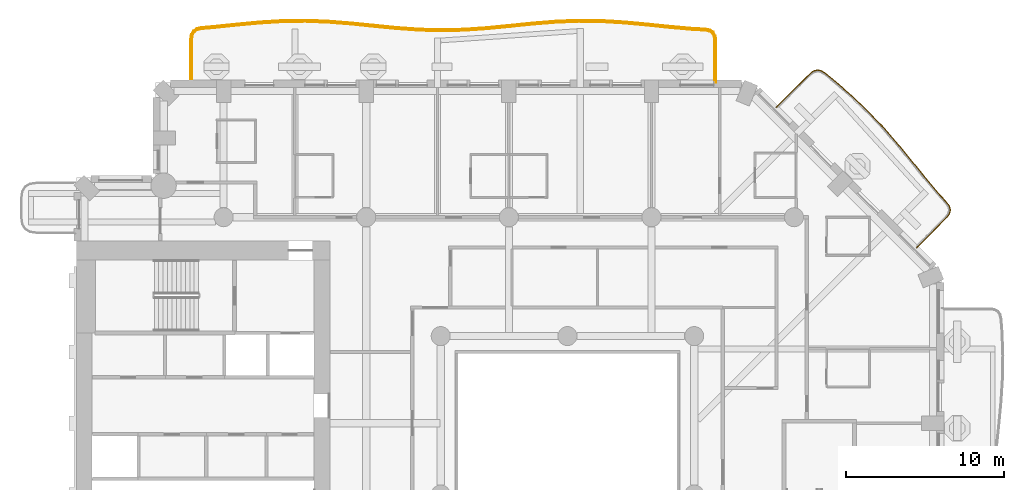
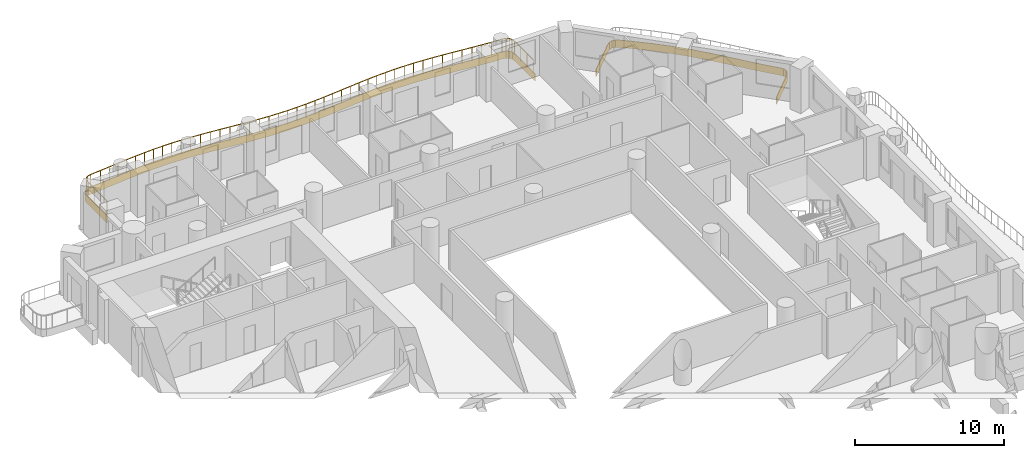
# One storey, part 18 of 20: 2 coverings, 1 railing.
"""IFC4 building model written with IfcOpenShell, lengths in metres."""

from ifc_helpers import new_model, si_unit, direction, frame, origin, origin_2d, place, context, subcontext, project, spatial, polyline, rectangle, outline, extrude, material, layer, layer_set, type_object, element, save


model = new_model("IFC4")

# Units and contexts
model_context = context("Model", 3, precision=1e-05, world=origin(), true_north=direction((0.0, 1.0)))
body_context = subcontext(model_context, "Body", "Model", "MODEL_VIEW")
ifc_project = project(units=[si_unit("LENGTHUNIT", "METRE"), si_unit("AREAUNIT", "SQUARE_METRE"), si_unit("VOLUMEUNIT", "CUBIC_METRE"), si_unit("PLANEANGLEUNIT", "RADIAN"), si_unit("MASSUNIT", "GRAM", prefix="KILO")], contexts=[model_context])

# Site, building, storey
site_placement = place(None, origin())
site = spatial("IfcSite", under=ifc_project, at=site_placement, CompositionType="ELEMENT")
building_placement = place(site_placement, origin())
building = spatial("IfcBuilding", under=site, at=building_placement, Name="Cypress Arch Tower", CompositionType="ELEMENT")
storey_placement = place(building_placement, frame((0.0, 0.0, 87.89990234375)))
storey = spatial("IfcBuildingStorey", under=building, at=storey_placement, Name="L16", CompositionType="ELEMENT", Elevation=87.89990234375)

# Coverings
ifc_material_1 = material(Name="White powder-coated aluminium fascia", Category="aluminium")
ifc_layer = layer(ifc_material_1, 0.050048828125)
ifc_layer_set = layer_set([ifc_layer], Name="Balcony fascia BF50")
covering_type = type_object("IfcCoveringType", Name="Balcony fascia BF50", PredefinedType="CLADDING", material=ifc_layer_set)
covering_1_placement = place(storey_placement, frame((0.0, 0.0, -0.599853515625)))
element("IfcCovering", 1, at=covering_1_placement, inside=storey, type_object=covering_type, Name="Balcony fascia L16-A07", PredefinedType="CLADDING", context=body_context, shape_type="SweptSolid", body=[
    extrude(outline(polyline([(16.28125, 26.570068359375), (16.515869140625, 26.746826171875), (16.764892578125, 26.816162109375), (17.019775390625, 26.771484375), (17.270263671875, 26.618408203125), (17.864990234375, 26.12939453125), (18.915283203125, 25.217529296875), (19.92333984375, 24.2626953125), (20.882568359375, 23.25927734375), (21.7978515625, 22.21240234375), (22.68408203125, 21.1376953125), (23.5625, 20.056884765625), (24.45654296875, 18.993408203125), (24.97021484375, 18.425537109375), (25.13330078125, 18.184326171875), (25.18603515625, 17.935791015625), (25.12109375, 17.68994140625), (24.946044921875, 17.457275390625), (23.045166015625, 15.556396484375), (23.009765625, 15.591796875), (24.908203125, 17.490234375), (25.0751953125, 17.71240234375), (25.134521484375, 17.93701171875), (25.08642578125, 18.16455078125), (24.930908203125, 18.39453125), (24.4189453125, 18.96044921875), (23.52392578125, 20.025146484375), (22.645263671875, 21.10595703125), (21.759765625, 22.179931640625), (20.845703125, 23.225341796875), (19.887939453125, 24.227294921875), (18.881591796875, 25.1806640625), (17.832763671875, 26.09130859375), (17.2412109375, 26.577392578125), (17.001708984375, 26.723876953125), (16.767578125, 26.76513671875), (16.538330078125, 26.701171875), (16.314208984375, 26.5322265625), (14.191650390625, 24.40966796875), (14.15625, 24.445068359375), (16.28125, 26.570068359375)])), origin(), (0.0, 0.0, 1.0), 0.599853515625),
])
covering_2_placement = place(storey_placement, frame((0.0, 0.0, -0.599853515625)))
element("IfcCovering", 2, at=covering_2_placement, inside=storey, type_object=covering_type, Name="Balcony fascia L16-A08", PredefinedType="CLADDING", context=body_context, shape_type="SweptSolid", body=[
    extrude(outline(polyline([(-22.800048828125, 28.734130859375), (-22.7578125, 29.034912109375), (-22.6259765625, 29.266845703125), (-22.40625, 29.41845703125), (-22.110107421875, 29.486572265625), (-21.315673828125, 29.555908203125), (-19.876708984375, 29.704833984375), (-18.4365234375, 29.840087890625), (-16.995361328125, 29.928466796875), (-15.5537109375, 29.94775390625), (-14.1123046875, 29.8935546875), (-12.671630859375, 29.779052734375), (-11.23193359375, 29.632568359375), (-9.793701171875, 29.49072265625), (-8.356201171875, 29.387939453125), (-6.91943359375, 29.35009765625), (-5.48291015625, 29.385986328125), (-4.04541015625, 29.4873046875), (-2.607177734375, 29.628662109375), (-1.16748046875, 29.775390625), (0.273193359375, 29.89111328125), (1.714599609375, 29.947265625), (3.15625, 29.929931640625), (4.597412109375, 29.84326171875), (6.03759765625, 29.708740234375), (7.4765625, 29.559814453125), (8.914306640625, 29.433349609375), (9.70849609375, 29.392822265625), (10.0048828125, 29.33544921875), (10.225341796875, 29.191650390625), (10.357666015625, 28.964111328125), (10.39990234375, 28.665283203125), (10.39990234375, 26.0009765625), (10.35009765625, 26.0009765625), (10.35009765625, 28.661865234375), (10.3095703125, 28.947509765625), (10.18798828125, 29.15625), (9.98583984375, 29.288330078125), (9.702392578125, 29.34326171875), (8.910888671875, 29.38330078125), (7.4716796875, 29.510009765625), (6.03271484375, 29.658935546875), (4.593505859375, 29.79345703125), (3.154296875, 29.8798828125), (1.71533203125, 29.897216796875), (0.276123046875, 29.84130859375), (-1.1630859375, 29.7255859375), (-2.602294921875, 29.578857421875), (-4.041259765625, 29.437255859375), (-5.48046875, 29.336181640625), (-6.919677734375, 29.300048828125), (-8.358642578125, 29.338134765625), (-9.7978515625, 29.44091796875), (-11.237060546875, 29.5830078125), (-12.676025390625, 29.729248046875), (-14.115234375, 29.84375), (-15.554443359375, 29.897705078125), (-16.993408203125, 29.87841796875), (-18.4326171875, 29.790283203125), (-19.871826171875, 29.655029296875), (-21.310791015625, 29.506103515625), (-22.102294921875, 29.43701171875), (-22.3857421875, 29.371826171875), (-22.588134765625, 29.232177734375), (-22.70947265625, 29.0185546875), (-22.75, 28.73046875), (-22.75, 26.0009765625), (-22.800048828125, 26.0009765625), (-22.800048828125, 28.734130859375)])), origin(), (0.0, 0.0, 1.0), 0.599853515625),
])

# Railing
ifc_material_2 = material(Name="Powder-coated steel posts and rods, 100 mm clear between rods", Category="steel")
railing_type = type_object("IfcRailingType", Name="Balcony guard GR1100", PredefinedType="GUARDRAIL", material=ifc_material_2)
railing_placement = place(storey_placement, frame((-22.699951171875, 26.14990234375, 0.0)))
element("IfcRailing", 3, at=railing_placement, inside=storey, type_object=railing_type, Name="Balcony guard L16-A08", PredefinedType="GUARDRAIL", context=body_context, shape_type="SweptSolid", body=[
    extrude(rectangle(XDim=0.050048828125, YDim=0.050048828125, at=origin_2d()), frame((0.0, 0.0, 1.0751953125), z_axis=(0.0, 1.0, 0.0), x_axis=(-1.0, 0.0, 0.0)), (0.0, 0.0, 1.0), 2.5771484375),
    extrude(rectangle(XDim=0.050048828125, YDim=0.050048828125, at=origin_2d()), frame((0.0, 2.5771484375, 1.0751953125), z_axis=(0.138958365374, 0.990298224119, 0.0), x_axis=(-0.990298224119, 0.138958365374, 0.0)), (0.0, 0.0, 1.0), 0.277587890625),
    extrude(rectangle(XDim=0.050048828125, YDim=0.050048828125, at=origin_2d()), frame((0.03857421875, 2.85205078125, 1.0751953125), z_axis=(0.493916153459, 0.86950953609, 0.0), x_axis=(-0.86950953609, 0.493916153459, 0.0)), (0.0, 0.0, 1.0), 0.224853515625),
    extrude(rectangle(XDim=0.050048828125, YDim=0.050048828125, at=origin_2d()), frame((0.149658203125, 3.047607421875, 1.0751953125), z_axis=(0.823090267196, 0.567910566944, 0.0), x_axis=(-0.567910566944, 0.823090267196, 0.0)), (0.0, 0.0, 1.0), 0.224853515625),
    extrude(rectangle(XDim=0.050048828125, YDim=0.050048828125, at=origin_2d()), frame((0.334716796875, 3.17529296875, 1.0751953125), z_axis=(0.97437638558, 0.224923674219, 0.0), x_axis=(-0.224923674219, 0.97437638558, 0.0)), (0.0, 0.0, 1.0), 0.27783203125),
    extrude(rectangle(XDim=0.050048828125, YDim=0.050048828125, at=origin_2d()), frame((0.60546875, 3.23779296875, 1.0751953125), z_axis=(0.996208103692, 0.087002380069, 0.0), x_axis=(-0.087002380069, 0.996208103692, 0.0)), (0.0, 0.0, 1.0), 0.791259765625),
    extrude(rectangle(XDim=0.050048828125, YDim=0.050048828125, at=origin_2d()), frame((1.393798828125, 3.306640625, 1.0751953125), z_axis=(0.994706077268, 0.102760984064, 0.0), x_axis=(-0.102760984064, 0.994706077268, 0.0)), (0.0, 0.0, 1.0), 1.44677734375),
    extrude(rectangle(XDim=0.050048828125, YDim=0.050048828125, at=origin_2d()), frame((2.8330078125, 3.455322265625, 1.0751953125), z_axis=(0.995622929799, 0.093461123778, 0.0), x_axis=(-0.093461123778, 0.995622929799, 0.0)), (0.0, 0.0, 1.0), 1.444580078125),
    extrude(rectangle(XDim=0.050048828125, YDim=0.050048828125, at=origin_2d()), frame((4.271240234375, 3.59033203125, 1.0751953125), z_axis=(0.998124484038, 0.061216945079, 0.0), x_axis=(-0.061216945079, 0.998124484038, 0.0)), (0.0, 0.0, 1.0), 1.439697265625),
    extrude(rectangle(XDim=0.050048828125, YDim=0.050048828125, at=origin_2d()), frame((5.708251953125, 3.678466796875, 1.0751953125), z_axis=(0.99990761598, 0.013592626895, 0.0), x_axis=(-0.013592626895, 0.99990761598, 0.0)), (0.0, 0.0, 1.0), 1.43701171875),
    extrude(rectangle(XDim=0.050048828125, YDim=0.050048828125, at=origin_2d()), frame((7.14501953125, 3.697998046875, 1.0751953125), z_axis=(0.999289245183, -0.037696212817, 0.0), x_axis=(0.037696212817, 0.999289245183, 0.0)), (0.0, 0.0, 1.0), 1.437744140625),
    extrude(rectangle(XDim=0.050048828125, YDim=0.050048828125, at=origin_2d()), frame((8.581787109375, 3.643798828125, 1.0751953125), z_axis=(0.996856059998, -0.079233803682, 0.0), x_axis=(0.079233803682, 0.996856059998, 0.0)), (0.0, 0.0, 1.0), 1.442138671875),
    extrude(rectangle(XDim=0.050048828125, YDim=0.050048828125, at=origin_2d()), frame((10.019287109375, 3.529541015625, 1.0751953125), z_axis=(0.994873732328, -0.101124955993, 0.0), x_axis=(0.101124955993, 0.994873732328, 0.0)), (0.0, 0.0, 1.0), 1.446044921875),
    extrude(rectangle(XDim=0.050048828125, YDim=0.050048828125, at=origin_2d()), frame((11.4580078125, 3.38330078125, 1.0751953125), z_axis=(0.99516664295, -0.098200574126, 0.0), x_axis=(0.098200574126, 0.99516664295, 0.0)), (0.0, 0.0, 1.0), 1.447021484375),
    extrude(rectangle(XDim=0.050048828125, YDim=0.050048828125, at=origin_2d()), frame((12.89794921875, 3.2412109375, 1.0751953125), z_axis=(0.997453549939, -0.071319111839, 0.0), x_axis=(0.071319111839, 0.997453549939, 0.0)), (0.0, 0.0, 1.0), 1.444580078125),
    extrude(rectangle(XDim=0.050048828125, YDim=0.050048828125, at=origin_2d()), frame((14.3388671875, 3.13818359375, 1.0751953125), z_axis=(0.999651101446, -0.026413545363, 0.0), x_axis=(0.026413545363, 0.999651101446, 0.0)), (0.0, 0.0, 1.0), 1.44189453125),
    extrude(rectangle(XDim=0.050048828125, YDim=0.050048828125, at=origin_2d()), frame((15.7802734375, 3.10009765625, 1.0751953125), z_axis=(0.999686058247, 0.025055637023, 0.0), x_axis=(-0.025055637023, 0.999686058247, 0.0)), (0.0, 0.0, 1.0), 1.442138671875),
    extrude(rectangle(XDim=0.050048828125, YDim=0.050048828125, at=origin_2d()), frame((17.221923828125, 3.13623046875, 1.0751953125), z_axis=(0.997537019407, 0.070141962564, 0.0), x_axis=(-0.070141962564, 0.997537019407, 0.0)), (0.0, 0.0, 1.0), 1.444580078125),
    extrude(rectangle(XDim=0.050048828125, YDim=0.050048828125, at=origin_2d()), frame((18.662841796875, 3.237548828125, 1.0751953125), z_axis=(0.995199566418, 0.097866352751, 0.0), x_axis=(-0.097866352751, 0.995199566418, 0.0)), (0.0, 0.0, 1.0), 1.44677734375),
    extrude(rectangle(XDim=0.050048828125, YDim=0.050048828125, at=origin_2d()), frame((20.102783203125, 3.379150390625, 1.0751953125), z_axis=(0.994839707967, 0.101459131934, 0.0), x_axis=(-0.101459131934, 0.994839707967, 0.0)), (0.0, 0.0, 1.0), 1.4462890625),
    extrude(rectangle(XDim=0.050048828125, YDim=0.050048828125, at=origin_2d()), frame((21.54150390625, 3.52587890625, 1.0751953125), z_axis=(0.996788847898, 0.080074919337, 0.0), x_axis=(-0.080074919337, 0.996788847898, 0.0)), (0.0, 0.0, 1.0), 1.442138671875),
    extrude(rectangle(XDim=0.050048828125, YDim=0.050048828125, at=origin_2d()), frame((22.97900390625, 3.641357421875, 1.0751953125), z_axis=(0.999243767782, 0.038883062502, 0.0), x_axis=(-0.038883062502, 0.999243767782, 0.0)), (0.0, 0.0, 1.0), 1.437744140625),
    extrude(rectangle(XDim=0.050048828125, YDim=0.050048828125, at=origin_2d()), frame((24.415771484375, 3.697265625, 1.0751953125), z_axis=(0.999927231008, -0.012063693016, 0.0), x_axis=(0.012063693016, 0.999927231008, 0.0)), (0.0, 0.0, 1.0), 1.436767578125),
    extrude(rectangle(XDim=0.050048828125, YDim=0.050048828125, at=origin_2d()), frame((25.8525390625, 3.679931640625, 1.0751953125), z_axis=(0.998196318787, -0.06003423324, 0.0), x_axis=(0.06003423324, 0.998196318787, 0.0)), (0.0, 0.0, 1.0), 1.439697265625),
    extrude(rectangle(XDim=0.050048828125, YDim=0.050048828125, at=origin_2d()), frame((27.28955078125, 3.593505859375, 1.0751953125), z_axis=(0.995685614164, -0.092790935694, 0.0), x_axis=(0.092790935694, 0.995685614164, 0.0)), (0.0, 0.0, 1.0), 1.444580078125),
    extrude(rectangle(XDim=0.050048828125, YDim=0.050048828125, at=origin_2d()), frame((28.727783203125, 3.45947265625, 1.0751953125), z_axis=(0.994688815746, -0.102927935132, 0.0), x_axis=(0.102927935132, 0.994688815746, 0.0)), (0.0, 0.0, 1.0), 1.44677734375),
    extrude(rectangle(XDim=0.050048828125, YDim=0.050048828125, at=origin_2d()), frame((30.1669921875, 3.310546875, 1.0751953125), z_axis=(0.996138540621, -0.087795261207, 0.0), x_axis=(0.087795261207, 0.996138540621, 0.0)), (0.0, 0.0, 1.0), 1.446044921875),
    extrude(rectangle(XDim=0.050048828125, YDim=0.050048828125, at=origin_2d()), frame((31.607421875, 3.18359375, 1.0751953125), z_axis=(0.99871428241, -0.050693018358, 0.0), x_axis=(0.050693018358, 0.99871428241, 0.0)), (0.0, 0.0, 1.0), 0.789794921875),
    extrude(rectangle(XDim=0.050048828125, YDim=0.050048828125, at=origin_2d()), frame((32.396240234375, 3.1435546875, 1.0751953125), z_axis=(0.98165690297, -0.190656038066, 0.0), x_axis=(0.190656038066, 0.98165690297, 0.0)), (0.0, 0.0, 1.0), 0.275390625),
    extrude(rectangle(XDim=0.050048828125, YDim=0.050048828125, at=origin_2d()), frame((32.66650390625, 3.091064453125, 1.0751953125), z_axis=(0.837809224391, -0.545963097219, 0.0), x_axis=(0.545963097219, 0.837809224391, 0.0)), (0.0, 0.0, 1.0), 0.219970703125),
    extrude(rectangle(XDim=0.050048828125, YDim=0.050048828125, at=origin_2d()), frame((32.850830078125, 2.970947265625, 1.0751953125), z_axis=(0.503180228322, -0.864181495882, 0.0), x_axis=(0.864181495882, 0.503180228322, 0.0)), (0.0, 0.0, 1.0), 0.2197265625),
    extrude(rectangle(XDim=0.050048828125, YDim=0.050048828125, at=origin_2d()), frame((32.96142578125, 2.781005859375, 1.0751953125), z_axis=(0.140056117845, -0.990143567294, 0.0), x_axis=(0.990143567294, 0.140056117845, 0.0)), (0.0, 0.0, 1.0), 0.275390625),
    extrude(rectangle(XDim=0.050048828125, YDim=0.050048828125, at=origin_2d()), frame((33.0, 2.50830078125, 1.0751953125), z_axis=(0.0, -1.0, 0.0), x_axis=(1.0, 0.0, 0.0)), (0.0, 0.0, 1.0), 2.50830078125),
    extrude(rectangle(XDim=0.0400390625, YDim=0.0400390625, at=origin_2d()), origin(), (0.0, 0.0, 1.0), 1.050048828125),
    extrude(rectangle(XDim=0.0400390625, YDim=0.0400390625, at=origin_2d()), frame((0.0, 0.859130859375, 0.0)), (0.0, 0.0, 1.0), 1.050048828125),
    extrude(rectangle(XDim=0.0400390625, YDim=0.0400390625, at=origin_2d()), frame((0.0, 1.718017578125, 0.0)), (0.0, 0.0, 1.0), 1.050048828125),
    extrude(rectangle(XDim=0.0400390625, YDim=0.0400390625, at=origin_2d()), frame((0.0, 2.5771484375, 0.0)), (0.0, 0.0, 1.0), 1.050048828125),
    extrude(rectangle(XDim=0.0400390625, YDim=0.0400390625, at=origin_2d()), frame((0.03857421875, 2.85205078125, 0.0)), (0.0, 0.0, 1.0), 1.050048828125),
    extrude(rectangle(XDim=0.0400390625, YDim=0.0400390625, at=origin_2d()), frame((0.149658203125, 3.047607421875, 0.0)), (0.0, 0.0, 1.0), 1.050048828125),
    extrude(rectangle(XDim=0.0400390625, YDim=0.0400390625, at=origin_2d()), frame((0.334716796875, 3.17529296875, 0.0)), (0.0, 0.0, 1.0), 1.050048828125),
    extrude(rectangle(XDim=0.0400390625, YDim=0.0400390625, at=origin_2d()), frame((0.60546875, 3.23779296875, 0.0)), (0.0, 0.0, 1.0), 1.050048828125),
    extrude(rectangle(XDim=0.0400390625, YDim=0.0400390625, at=origin_2d()), frame((1.393798828125, 3.306640625, 0.0)), (0.0, 0.0, 1.0), 1.050048828125),
    extrude(rectangle(XDim=0.0400390625, YDim=0.0400390625, at=origin_2d()), frame((2.11328125, 3.380859375, 0.0)), (0.0, 0.0, 1.0), 1.050048828125),
    extrude(rectangle(XDim=0.0400390625, YDim=0.0400390625, at=origin_2d()), frame((2.8330078125, 3.455322265625, 0.0)), (0.0, 0.0, 1.0), 1.050048828125),
    extrude(rectangle(XDim=0.0400390625, YDim=0.0400390625, at=origin_2d()), frame((3.55224609375, 3.52294921875, 0.0)), (0.0, 0.0, 1.0), 1.050048828125),
    extrude(rectangle(XDim=0.0400390625, YDim=0.0400390625, at=origin_2d()), frame((4.271240234375, 3.59033203125, 0.0)), (0.0, 0.0, 1.0), 1.050048828125),
    extrude(rectangle(XDim=0.0400390625, YDim=0.0400390625, at=origin_2d()), frame((4.98974609375, 3.63427734375, 0.0)), (0.0, 0.0, 1.0), 1.050048828125),
    extrude(rectangle(XDim=0.0400390625, YDim=0.0400390625, at=origin_2d()), frame((5.708251953125, 3.678466796875, 0.0)), (0.0, 0.0, 1.0), 1.050048828125),
    extrude(rectangle(XDim=0.0400390625, YDim=0.0400390625, at=origin_2d()), frame((6.4267578125, 3.688232421875, 0.0)), (0.0, 0.0, 1.0), 1.050048828125),
    extrude(rectangle(XDim=0.0400390625, YDim=0.0400390625, at=origin_2d()), frame((7.14501953125, 3.697998046875, 0.0)), (0.0, 0.0, 1.0), 1.050048828125),
    extrude(rectangle(XDim=0.0400390625, YDim=0.0400390625, at=origin_2d()), frame((7.86328125, 3.6708984375, 0.0)), (0.0, 0.0, 1.0), 1.050048828125),
    extrude(rectangle(XDim=0.0400390625, YDim=0.0400390625, at=origin_2d()), frame((8.581787109375, 3.643798828125, 0.0)), (0.0, 0.0, 1.0), 1.050048828125),
    extrude(rectangle(XDim=0.0400390625, YDim=0.0400390625, at=origin_2d()), frame((9.300537109375, 3.586669921875, 0.0)), (0.0, 0.0, 1.0), 1.050048828125),
    extrude(rectangle(XDim=0.0400390625, YDim=0.0400390625, at=origin_2d()), frame((10.019287109375, 3.529541015625, 0.0)), (0.0, 0.0, 1.0), 1.050048828125),
    extrude(rectangle(XDim=0.0400390625, YDim=0.0400390625, at=origin_2d()), frame((10.73876953125, 3.45654296875, 0.0)), (0.0, 0.0, 1.0), 1.050048828125),
    extrude(rectangle(XDim=0.0400390625, YDim=0.0400390625, at=origin_2d()), frame((11.4580078125, 3.38330078125, 0.0)), (0.0, 0.0, 1.0), 1.050048828125),
    extrude(rectangle(XDim=0.0400390625, YDim=0.0400390625, at=origin_2d()), frame((12.177978515625, 3.312255859375, 0.0)), (0.0, 0.0, 1.0), 1.050048828125),
    extrude(rectangle(XDim=0.0400390625, YDim=0.0400390625, at=origin_2d()), frame((12.89794921875, 3.2412109375, 0.0)), (0.0, 0.0, 1.0), 1.050048828125),
    extrude(rectangle(XDim=0.0400390625, YDim=0.0400390625, at=origin_2d()), frame((13.618408203125, 3.189697265625, 0.0)), (0.0, 0.0, 1.0), 1.050048828125),
    extrude(rectangle(XDim=0.0400390625, YDim=0.0400390625, at=origin_2d()), frame((14.3388671875, 3.13818359375, 0.0)), (0.0, 0.0, 1.0), 1.050048828125),
    extrude(rectangle(XDim=0.0400390625, YDim=0.0400390625, at=origin_2d()), frame((15.0595703125, 3.119140625, 0.0)), (0.0, 0.0, 1.0), 1.050048828125),
    extrude(rectangle(XDim=0.0400390625, YDim=0.0400390625, at=origin_2d()), frame((15.7802734375, 3.10009765625, 0.0)), (0.0, 0.0, 1.0), 1.050048828125),
    extrude(rectangle(XDim=0.0400390625, YDim=0.0400390625, at=origin_2d()), frame((16.5009765625, 3.1181640625, 0.0)), (0.0, 0.0, 1.0), 1.050048828125),
    extrude(rectangle(XDim=0.0400390625, YDim=0.0400390625, at=origin_2d()), frame((17.221923828125, 3.13623046875, 0.0)), (0.0, 0.0, 1.0), 1.050048828125),
    extrude(rectangle(XDim=0.0400390625, YDim=0.0400390625, at=origin_2d()), frame((17.9423828125, 3.18701171875, 0.0)), (0.0, 0.0, 1.0), 1.050048828125),
    extrude(rectangle(XDim=0.0400390625, YDim=0.0400390625, at=origin_2d()), frame((18.662841796875, 3.237548828125, 0.0)), (0.0, 0.0, 1.0), 1.050048828125),
    extrude(rectangle(XDim=0.0400390625, YDim=0.0400390625, at=origin_2d()), frame((19.3828125, 3.308349609375, 0.0)), (0.0, 0.0, 1.0), 1.050048828125),
    extrude(rectangle(XDim=0.0400390625, YDim=0.0400390625, at=origin_2d()), frame((20.102783203125, 3.379150390625, 0.0)), (0.0, 0.0, 1.0), 1.050048828125),
    extrude(rectangle(XDim=0.0400390625, YDim=0.0400390625, at=origin_2d()), frame((20.822265625, 3.45263671875, 0.0)), (0.0, 0.0, 1.0), 1.050048828125),
    extrude(rectangle(XDim=0.0400390625, YDim=0.0400390625, at=origin_2d()), frame((21.54150390625, 3.52587890625, 0.0)), (0.0, 0.0, 1.0), 1.050048828125),
    extrude(rectangle(XDim=0.0400390625, YDim=0.0400390625, at=origin_2d()), frame((22.26025390625, 3.58349609375, 0.0)), (0.0, 0.0, 1.0), 1.050048828125),
    extrude(rectangle(XDim=0.0400390625, YDim=0.0400390625, at=origin_2d()), frame((22.97900390625, 3.641357421875, 0.0)), (0.0, 0.0, 1.0), 1.050048828125),
    extrude(rectangle(XDim=0.0400390625, YDim=0.0400390625, at=origin_2d()), frame((23.697265625, 3.66943359375, 0.0)), (0.0, 0.0, 1.0), 1.050048828125),
    extrude(rectangle(XDim=0.0400390625, YDim=0.0400390625, at=origin_2d()), frame((24.415771484375, 3.697265625, 0.0)), (0.0, 0.0, 1.0), 1.050048828125),
    extrude(rectangle(XDim=0.0400390625, YDim=0.0400390625, at=origin_2d()), frame((25.13427734375, 3.6884765625, 0.0)), (0.0, 0.0, 1.0), 1.050048828125),
    extrude(rectangle(XDim=0.0400390625, YDim=0.0400390625, at=origin_2d()), frame((25.8525390625, 3.679931640625, 0.0)), (0.0, 0.0, 1.0), 1.050048828125),
    extrude(rectangle(XDim=0.0400390625, YDim=0.0400390625, at=origin_2d()), frame((26.571044921875, 3.63671875, 0.0)), (0.0, 0.0, 1.0), 1.050048828125),
    extrude(rectangle(XDim=0.0400390625, YDim=0.0400390625, at=origin_2d()), frame((27.28955078125, 3.593505859375, 0.0)), (0.0, 0.0, 1.0), 1.050048828125),
    extrude(rectangle(XDim=0.0400390625, YDim=0.0400390625, at=origin_2d()), frame((28.0087890625, 3.5263671875, 0.0)), (0.0, 0.0, 1.0), 1.050048828125),
    extrude(rectangle(XDim=0.0400390625, YDim=0.0400390625, at=origin_2d()), frame((28.727783203125, 3.45947265625, 0.0)), (0.0, 0.0, 1.0), 1.050048828125),
    extrude(rectangle(XDim=0.0400390625, YDim=0.0400390625, at=origin_2d()), frame((29.447265625, 3.385009765625, 0.0)), (0.0, 0.0, 1.0), 1.050048828125),
    extrude(rectangle(XDim=0.0400390625, YDim=0.0400390625, at=origin_2d()), frame((30.1669921875, 3.310546875, 0.0)), (0.0, 0.0, 1.0), 1.050048828125),
    extrude(rectangle(XDim=0.0400390625, YDim=0.0400390625, at=origin_2d()), frame((30.88720703125, 3.2470703125, 0.0)), (0.0, 0.0, 1.0), 1.050048828125),
    extrude(rectangle(XDim=0.0400390625, YDim=0.0400390625, at=origin_2d()), frame((31.607421875, 3.18359375, 0.0)), (0.0, 0.0, 1.0), 1.050048828125),
    extrude(rectangle(XDim=0.0400390625, YDim=0.0400390625, at=origin_2d()), frame((32.396240234375, 3.1435546875, 0.0)), (0.0, 0.0, 1.0), 1.050048828125),
    extrude(rectangle(XDim=0.0400390625, YDim=0.0400390625, at=origin_2d()), frame((32.66650390625, 3.091064453125, 0.0)), (0.0, 0.0, 1.0), 1.050048828125),
    extrude(rectangle(XDim=0.0400390625, YDim=0.0400390625, at=origin_2d()), frame((32.850830078125, 2.970947265625, 0.0)), (0.0, 0.0, 1.0), 1.050048828125),
    extrude(rectangle(XDim=0.0400390625, YDim=0.0400390625, at=origin_2d()), frame((32.96142578125, 2.781005859375, 0.0)), (0.0, 0.0, 1.0), 1.050048828125),
    extrude(rectangle(XDim=0.0400390625, YDim=0.0400390625, at=origin_2d()), frame((33.0, 2.50830078125, 0.0)), (0.0, 0.0, 1.0), 1.050048828125),
    extrude(rectangle(XDim=0.0400390625, YDim=0.0400390625, at=origin_2d()), frame((33.0, 1.672119140625, 0.0)), (0.0, 0.0, 1.0), 1.050048828125),
    extrude(rectangle(XDim=0.0400390625, YDim=0.0400390625, at=origin_2d()), frame((33.0, 0.836181640625, 0.0)), (0.0, 0.0, 1.0), 1.050048828125),
    extrude(rectangle(XDim=0.0400390625, YDim=0.0400390625, at=origin_2d()), frame((33.0, 0.0, 0.0)), (0.0, 0.0, 1.0), 1.050048828125),
])

save(model, "model.ifc")
